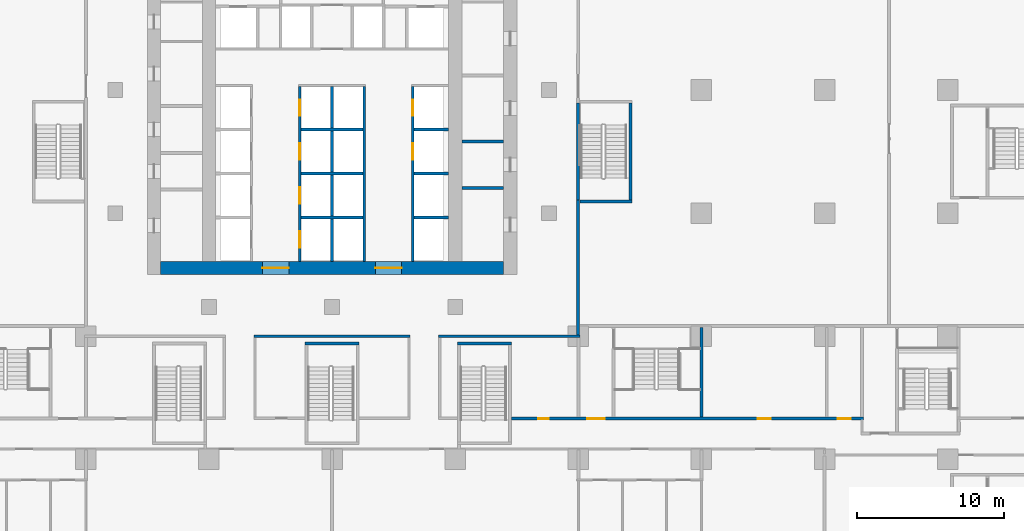
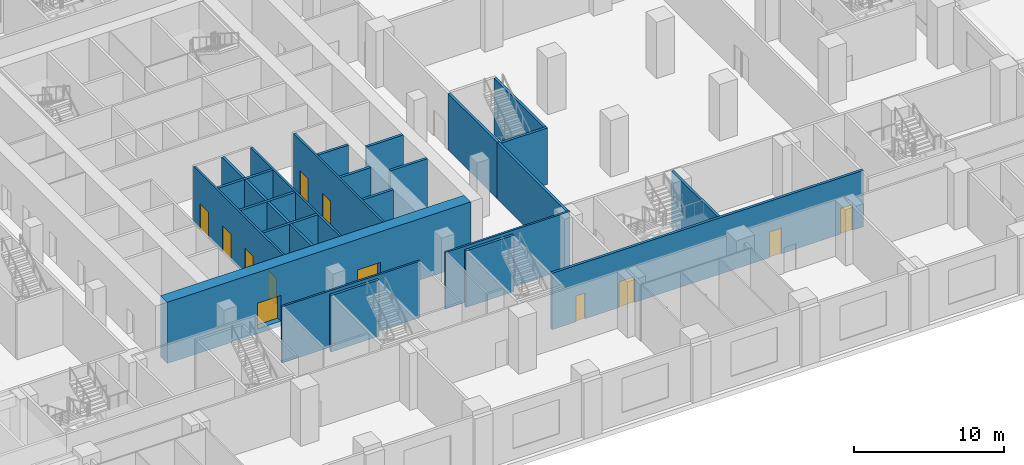
# One storey, part 11 of 29: 23 walls, 12 doors, 12 openings.
"""IFC4 building model written with IfcOpenShell, lengths in metres."""

import ifcopenshell
import ifcopenshell.guid

model = None  # the IFC model being written
_history = None  # IfcOwnerHistory: only IFC2X3 demands one
_inside = {}  # id of a spatial element -> (the spatial element, [elements in it])
_under = {}  # id of a project, library or spatial element -> (it, [spatial elements below it])
_declared = {}  # id of a project -> (the project, [libraries it declares])
_typed = {}  # id of a type object -> (the type object, [elements of that type])
_made_of = {}  # id of a material, layer set ... -> (it, [elements and type objects made of it])


def new_model(schema):
    """Start an empty IFC model of exactly this schema.

    Asked for "IFC4X3", IfcOpenShell would pick the latest addendum, in which some entities
    have other attributes; the version numbers below select the first issue.
    IFC2X3 requires an IfcOwnerHistory on every rooted entity: one is made here for all.
    """
    global model, _history
    if schema == "IFC4X3":
        model = ifcopenshell.file(schema_version=(4, 3, 0, 0))
    else:
        model = ifcopenshell.file(schema=schema)
    _inside.clear()
    _under.clear()
    _declared.clear()
    _typed.clear()
    _made_of.clear()
    _history = None
    if model.schema == "IFC2X3":
        org = make("IfcOrganization", Name="unknown")
        user = make(
            "IfcPersonAndOrganization",
            ThePerson=make("IfcPerson", FamilyName="unknown"),
            TheOrganization=org,
        )
        app = make(
            "IfcApplication",
            ApplicationDeveloper=org,
            Version="unknown",
            ApplicationFullName="unknown",
            ApplicationIdentifier="unknown",
        )
        _history = make(
            "IfcOwnerHistory",
            OwningUser=user,
            OwningApplication=app,
            ChangeAction="ADDED",
            CreationDate=0,
        )
    return model


def make(cls, **values):
    """One entity of the class cls with the attributes given. An attribute that is None is left unset."""
    return model.create_entity(
        cls, **{name: value for name, value in values.items() if value is not None}
    )


def rooted(cls, **values):
    """An entity with a GlobalId (a new one), such as an element, a storey or a relation."""
    return make(cls, GlobalId=ifcopenshell.guid.new(), OwnerHistory=_history, **values)


def si_unit(unit_type, name, prefix=None):
    """IfcSIUnit, for example si_unit("LENGTHUNIT", "METRE", prefix="MILLI")."""
    return make("IfcSIUnit", UnitType=unit_type, Prefix=prefix, Name=name)


def assignment(units):
    """IfcUnitAssignment: the units of a project."""
    return None if units is None else make("IfcUnitAssignment", Units=units)


def point(xyz):
    """IfcCartesianPoint."""
    return None if xyz is None else make("IfcCartesianPoint", Coordinates=xyz)


def direction(xyz):
    """IfcDirection."""
    return None if xyz is None else make("IfcDirection", DirectionRatios=xyz)


def frame(location, z_axis=None, x_axis=None):
    """IfcAxis2Placement3D, a coordinate frame: its origin and axes. An axis left out is left unset."""
    return make(
        "IfcAxis2Placement3D",
        Location=point(location),
        Axis=direction(z_axis),
        RefDirection=direction(x_axis),
    )


def frame_2d(location, x_axis=None):
    """IfcAxis2Placement2D, a coordinate frame in the plane: its origin and x axis."""
    return make(
        "IfcAxis2Placement2D", Location=point(location), RefDirection=direction(x_axis)
    )


def origin():
    """The frame at (0, 0, 0) with its axes left unset."""
    return frame((0.0, 0.0, 0.0))


def place(relative_to, where):
    """IfcLocalPlacement: puts the frame where relative to a parent placement (None: the world)."""
    return make(
        "IfcLocalPlacement", PlacementRelTo=relative_to, RelativePlacement=where
    )


def context(
    kind, dimensions, precision=None, world=None, true_north=None, identifier=None
):
    """IfcGeometricRepresentationContext, for example the 3D "Model" context."""
    return make(
        "IfcGeometricRepresentationContext",
        ContextIdentifier=identifier,
        ContextType=kind,
        CoordinateSpaceDimension=dimensions,
        Precision=precision,
        WorldCoordinateSystem=world,
        TrueNorth=true_north,
    )


def subcontext(parent, identifier, kind, view, scale=None):
    """IfcGeometricRepresentationSubContext, for example "Body" below "Model"."""
    return make(
        "IfcGeometricRepresentationSubContext",
        ContextIdentifier=identifier,
        ContextType=kind,
        ParentContext=parent,
        TargetScale=scale,
        TargetView=view,
    )


def project(units=None, contexts=None):
    """IfcProject with its units and contexts."""
    return rooted(
        "IfcProject",
        Name="project",
        RepresentationContexts=contexts,
        UnitsInContext=assignment(units),
    )


def spatial(cls, under=None, at=None, **own):
    """A site, building, storey or space (cls), placed at a placement, below another one or the project."""
    s = rooted(cls, ObjectPlacement=at, **own)
    if under is not None:
        _under.setdefault(under.id(), (under, []))[1].append(s)
    return s


def profile(cls, at=None, kind="AREA", **sizes):
    """A parametric profile (cls). Its sizes go by their IFC names, for example OverallWidth=200.0."""
    return make(cls, ProfileType=kind, Position=at, **sizes)


def rectangle(**sizes):
    """IfcRectangleProfileDef."""
    return profile("IfcRectangleProfileDef", **sizes)


def extrude(swept, where, along, depth):
    """IfcExtrudedAreaSolid: the profile swept, set in the frame where, extruded along a direction by depth."""
    return make(
        "IfcExtrudedAreaSolid",
        SweptArea=swept,
        Position=where,
        ExtrudedDirection=direction(along),
        Depth=depth,
    )


def shape(context_of_items, identifier, shape_type, items):
    """IfcShapeRepresentation: the items that make up one representation, for example the "Body"."""
    return make(
        "IfcShapeRepresentation",
        ContextOfItems=context_of_items,
        RepresentationIdentifier=identifier,
        RepresentationType=shape_type,
        Items=items,
    )


def material(Name=None, Category=None):
    """IfcMaterial."""
    return make("IfcMaterial", Name=Name, Category=Category)


def layer(
    of_material, thickness, ventilated=None, Name=None, Category=None, Priority=None
):
    """IfcMaterialLayer: one layer of a wall or slab, of a material (None: an air gap)."""
    return make(
        "IfcMaterialLayer",
        Material=of_material,
        LayerThickness=thickness,
        IsVentilated=ventilated,
        Name=Name,
        Category=Category,
        Priority=Priority,
    )


def layer_set(layers, Name=None):
    """IfcMaterialLayerSet."""
    return make("IfcMaterialLayerSet", MaterialLayers=layers, LayerSetName=Name)


def made_of(thing, what):
    """Note that an element or type object is made of a material, layer set ...; save() writes the relation."""
    if what is not None:
        _made_of.setdefault(what.id(), (what, []))[1].append(thing)
    return thing


def type_object(cls, material=None, **own):
    """A type object (cls), such as IfcWallType, which elements share."""
    return made_of(rooted(cls, **own), material)


def element(
    cls,
    number,
    at=None,
    inside=None,
    cuts=None,
    type_object=None,
    material=None,
    context=None,
    identifier="Body",
    shape_type=None,
    held_by="IfcProductDefinitionShape",
    body=None,
    shapes=None,
    **own,
):
    """One element of the class cls, such as IfcWall. Its Tag is "e" and its number.

    at: its placement. inside: the storey or other place that contains it. cuts: it is an
    opening in that element (IfcRelVoidsElement). A single representation is given by context,
    identifier, shape_type and body (its items); several are given by shapes. held_by: the class
    of the entity that holds the representations. save() writes the other relations.
    """
    e = rooted(cls, Tag="e%d" % number, ObjectPlacement=at, **own)
    if body is not None:
        shapes = [shape(context, identifier, shape_type, body)]
    if shapes is not None:
        e.Representation = make(held_by, Representations=shapes)
    if inside is not None:
        _inside.setdefault(inside.id(), (inside, []))[1].append(e)
    if cuts is not None:
        rooted(
            "IfcRelVoidsElement", RelatingBuildingElement=cuts, RelatedOpeningElement=e
        )
    if type_object is not None:
        _typed.setdefault(type_object.id(), (type_object, []))[1].append(e)
    return made_of(e, material)


def fill(opening, filler):
    """IfcRelFillsElement: the door or window that sits in an opening."""
    return rooted(
        "IfcRelFillsElement",
        RelatingOpeningElement=opening,
        RelatedBuildingElement=filler,
    )


def aggregate(whole, parts):
    """IfcRelAggregates: a whole, such as a stair, and the parts it consists of."""
    return rooted("IfcRelAggregates", RelatingObject=whole, RelatedObjects=parts)


def save(model, path):
    """Write the relations noted so far, then the file.

    IfcRelAggregates (storeys below a building ...), IfcRelContainedInSpatialStructure (elements
    in a storey), IfcRelDefinesByType, IfcRelAssociatesMaterial and IfcRelDeclares: one each for
    every whole, place, type object, material and project.
    """
    for whole, parts in _under.values():
        aggregate(whole, parts)
    for where, things in _inside.values():
        rooted(
            "IfcRelContainedInSpatialStructure",
            RelatedElements=things,
            RelatingStructure=where,
        )
    for kind, things in _typed.values():
        rooted("IfcRelDefinesByType", RelatedObjects=things, RelatingType=kind)
    for what, things in _made_of.values():
        rooted("IfcRelAssociatesMaterial", RelatedObjects=things, RelatingMaterial=what)
    for by, libraries in _declared.values():
        rooted("IfcRelDeclares", RelatingContext=by, RelatedDefinitions=libraries)
    model.write(path)


model = new_model("IFC4")

# Units and contexts
model_context = context("Model", 3, precision=1e-05, world=origin(), true_north=direction((0.0, 1.0)))
body_context = subcontext(model_context, "Body", "Model", "MODEL_VIEW")
ifc_project = project(units=[si_unit("LENGTHUNIT", "METRE"), si_unit("AREAUNIT", "SQUARE_METRE"), si_unit("VOLUMEUNIT", "CUBIC_METRE"), si_unit("PLANEANGLEUNIT", "RADIAN"), si_unit("MASSUNIT", "GRAM", prefix="KILO")], contexts=[model_context])

# Site, building, storey
site_placement = place(None, origin())
site = spatial("IfcSite", under=ifc_project, at=site_placement, CompositionType="ELEMENT")
building_placement = place(site_placement, origin())
building = spatial("IfcBuilding", under=site, at=building_placement, Name="Vermilion Ogive Tower", CompositionType="ELEMENT")
storey_placement = place(building_placement, frame((0.0, 0.0, 7.5)))
storey = spatial("IfcBuildingStorey", under=building, at=storey_placement, Name="L01", CompositionType="ELEMENT", Elevation=7.5)

# Wall, openings, doors
ifc_material_1 = material(Name="Concrete B80", Category="concrete")
ifc_layer_1 = layer(ifc_material_1, 0.89990234375)
ifc_layer_set_1 = layer_set([ifc_layer_1], Name="Core wall 900 B80")
wall_type_1 = type_object("IfcWallType", Name="Core wall 900 B80", PredefinedType="SHEAR", material=ifc_layer_set_1)
wall_1_placement = place(storey_placement, frame((-11.699951171875, -7.949951171875, -0.39990234375), z_axis=(0.0, 0.0, 1.0), x_axis=(1.0, 0.0, 0.0)))
wall_1 = element("IfcWall", 1, at=wall_1_placement, inside=storey, type_object=wall_type_1, Name="L01-CORE-S", PredefinedType="SHEAR", context=body_context, shape_type="SweptSolid", body=[
    extrude(rectangle(XDim=23.39990234375, YDim=0.89990234375, at=frame_2d((11.699951171875, 0.0))), origin(), (0.0, 0.0, 1.0), 5.0),
])
opening_1_placement = place(wall_1_placement, frame((6.949951171875, 0.0, 0.39990234375)))
opening_1 = element("IfcOpeningElement", 2, at=opening_1_placement, cuts=wall_1, Name="Opening DAR003", PredefinedType="OPENING", context=body_context, shape_type="SweptSolid", body=[
    extrude(rectangle(XDim=1.800048828125, YDim=2.10009765625, at=frame_2d((0.89990234375, 1.050048828125))), frame((0.0, 0.4599609375, 0.0), z_axis=(0.0, -1.0, 0.0), x_axis=(1.0, 0.0, 0.0)), (0.0, 0.0, 1.0), 0.919921875),
])
opening_2_placement = place(wall_1_placement, frame((14.64990234375, 0.0, 0.39990234375)))
opening_2 = element("IfcOpeningElement", 3, at=opening_2_placement, cuts=wall_1, Name="Opening DAR004", PredefinedType="OPENING", context=body_context, shape_type="SweptSolid", body=[
    extrude(rectangle(XDim=1.800048828125, YDim=2.10009765625, at=frame_2d((0.89990234375, 1.050048828125))), frame((0.0, 0.4599609375, 0.0), z_axis=(0.0, -1.0, 0.0), x_axis=(1.0, 0.0, 0.0)), (0.0, 0.0, 1.0), 0.919921875),
])
ifc_material_2 = material(Name="Timber door leaf", Category="wood")
door_type_1 = type_object("IfcDoorType", Name="Core entry door 1800 x 2100 FD60S", OperationType="DOUBLE_DOOR_SINGLE_SWING", PredefinedType="DOOR", material=ifc_material_2)
door_1_placement = place(opening_1_placement, origin())
door_1 = element("IfcDoor", 4, at=door_1_placement, inside=storey, type_object=door_type_1, Name="L01-CK-XD1", OperationType="SINGLE_SWING_LEFT", OverallHeight=2.10009765625, OverallWidth=1.800048828125, PredefinedType="DOOR", context=body_context, shape_type="SweptSolid", body=[
    extrude(rectangle(XDim=1.800048828125, YDim=2.10009765625, at=frame_2d((0.89990234375, 1.050048828125))), frame((0.0, 0.02490234375, 0.0), z_axis=(0.0, -1.0, 0.0), x_axis=(1.0, 0.0, 0.0)), (0.0, 0.0, 1.0), 0.050048828125),
])
fill(opening_1, door_1)
door_2_placement = place(opening_2_placement, origin())
door_2 = element("IfcDoor", 5, at=door_2_placement, inside=storey, type_object=door_type_1, Name="L01-CK-XD2", OperationType="SINGLE_SWING_LEFT", OverallHeight=2.10009765625, OverallWidth=1.800048828125, PredefinedType="DOOR", context=body_context, shape_type="SweptSolid", body=[
    extrude(rectangle(XDim=1.800048828125, YDim=2.10009765625, at=frame_2d((0.89990234375, 1.050048828125))), frame((0.0, 0.02490234375, 0.0), z_axis=(0.0, -1.0, 0.0), x_axis=(1.0, 0.0, 0.0)), (0.0, 0.0, 1.0), 0.050048828125),
])
fill(opening_2, door_2)

# Walls
ifc_material_3 = material(Name="Gypsum board partition on steel studs", Category="steel")
ifc_layer_2 = layer(ifc_material_3, 0.14990234375)
ifc_layer_set_2 = layer_set([ifc_layer_2], Name="Partition 150 corridor")
wall_type_2 = type_object("IfcWallType", Name="Partition 150 corridor", PredefinedType="PARTITIONING", material=ifc_layer_set_2)
wall_2_placement = place(storey_placement, frame((-5.324951171875, -12.60009765625, 0.0), z_axis=(0.0, 0.0, 1.0), x_axis=(1.0, 0.0, 0.0)))
element("IfcWall", 6, at=wall_2_placement, inside=storey, type_object=wall_type_2, Name="L01-FS-W-W019", PredefinedType="PARTITIONING", context=body_context, shape_type="SweptSolid", body=[
    extrude(rectangle(XDim=10.64990234375, YDim=0.14990234375, at=frame_2d((5.324951171875, 0.0))), origin(), (0.0, 0.0, 1.0), 4.60009765625),
])
wall_3_placement = place(storey_placement, frame((7.27490234375, -12.60009765625, 0.0), z_axis=(0.0, 0.0, 1.0), x_axis=(1.0, 0.0, 0.0)))
element("IfcWall", 7, at=wall_3_placement, inside=storey, type_object=wall_type_2, Name="L01-FS-W-W020", PredefinedType="PARTITIONING", context=body_context, shape_type="SweptSolid", body=[
    extrude(rectangle(XDim=9.625, YDim=0.14990234375, at=frame_2d((4.8125, 0.0))), origin(), (0.0, 0.0, 1.0), 4.60009765625),
])

# Wall, openings, doors
wall_4_placement = place(storey_placement, frame((-2.199951171875, -7.4990234375, 0.0), z_axis=(0.0, 0.0, 1.0), x_axis=(0.0, 1.0, 0.0)))
wall_4 = element("IfcWall", 8, at=wall_4_placement, inside=storey, type_object=wall_type_2, Name="L01-CK-W-W027", PredefinedType="PARTITIONING", context=body_context, shape_type="SweptSolid", body=[
    extrude(rectangle(XDim=11.924072265625, YDim=0.14990234375, at=frame_2d((5.9619140625, 0.0))), origin(), (0.0, 0.0, 1.0), 4.60009765625),
])
opening_3_placement = place(wall_4_placement, frame((0.948974609375, 0.0, 0.0)))
opening_3 = element("IfcOpeningElement", 9, at=opening_3_placement, cuts=wall_4, Name="Opening DAB049", PredefinedType="OPENING", context=body_context, shape_type="SweptSolid", body=[
    extrude(rectangle(XDim=1.10009765625, YDim=2.10009765625, at=frame_2d((0.550048828125, 1.050048828125))), frame((0.0, 0.0849609375, 0.0), z_axis=(0.0, -1.0, 0.0), x_axis=(1.0, 0.0, 0.0)), (0.0, 0.0, 1.0), 0.169921875),
])
opening_4_placement = place(wall_4_placement, frame((3.948974609375, 0.0, 0.0)))
opening_4 = element("IfcOpeningElement", 10, at=opening_4_placement, cuts=wall_4, Name="Opening DAB050", PredefinedType="OPENING", context=body_context, shape_type="SweptSolid", body=[
    extrude(rectangle(XDim=1.10009765625, YDim=2.10009765625, at=frame_2d((0.550048828125, 1.050048828125))), frame((0.0, 0.0849609375, 0.0), z_axis=(0.0, -1.0, 0.0), x_axis=(1.0, 0.0, 0.0)), (0.0, 0.0, 1.0), 0.169921875),
])
opening_5_placement = place(wall_4_placement, frame((6.948974609375, 0.0, 0.0)))
opening_5 = element("IfcOpeningElement", 11, at=opening_5_placement, cuts=wall_4, Name="Opening DAB051", PredefinedType="OPENING", context=body_context, shape_type="SweptSolid", body=[
    extrude(rectangle(XDim=1.10009765625, YDim=2.10009765625, at=frame_2d((0.550048828125, 1.050048828125))), frame((0.0, 0.0849609375, 0.0), z_axis=(0.0, -1.0, 0.0), x_axis=(1.0, 0.0, 0.0)), (0.0, 0.0, 1.0), 0.169921875),
])
opening_6_placement = place(wall_4_placement, frame((9.948974609375, 0.0, 0.0)))
opening_6 = element("IfcOpeningElement", 12, at=opening_6_placement, cuts=wall_4, Name="Opening DAB052", PredefinedType="OPENING", context=body_context, shape_type="SweptSolid", body=[
    extrude(rectangle(XDim=1.10009765625, YDim=2.10009765625, at=frame_2d((0.550048828125, 1.050048828125))), frame((0.0, 0.0849609375, 0.0), z_axis=(0.0, -1.0, 0.0), x_axis=(1.0, 0.0, 0.0)), (0.0, 0.0, 1.0), 0.169921875),
])
ifc_material_4 = material(Name="Stainless steel", Category="steel")
door_type_2 = type_object("IfcDoorType", Name="Lift landing door 1100 x 2100", OperationType="SLIDING_TO_LEFT", PredefinedType="DOOR", material=ifc_material_4)
door_3_placement = place(opening_3_placement, origin())
door_3 = element("IfcDoor", 13, at=door_3_placement, inside=storey, type_object=door_type_2, Name="L01-CK-D-D005", OperationType="SLIDING_TO_RIGHT", OverallHeight=2.10009765625, OverallWidth=1.10009765625, PredefinedType="DOOR", context=body_context, shape_type="SweptSolid", body=[
    extrude(rectangle(XDim=1.10009765625, YDim=2.10009765625, at=frame_2d((0.550048828125, 1.050048828125))), frame((0.0, 0.02490234375, 0.0), z_axis=(0.0, -1.0, 0.0), x_axis=(1.0, 0.0, 0.0)), (0.0, 0.0, 1.0), 0.050048828125),
])
fill(opening_3, door_3)
door_4_placement = place(opening_4_placement, origin())
door_4 = element("IfcDoor", 14, at=door_4_placement, inside=storey, type_object=door_type_2, Name="L01-CK-D-D006", OperationType="SLIDING_TO_RIGHT", OverallHeight=2.10009765625, OverallWidth=1.10009765625, PredefinedType="DOOR", context=body_context, shape_type="SweptSolid", body=[
    extrude(rectangle(XDim=1.10009765625, YDim=2.10009765625, at=frame_2d((0.550048828125, 1.050048828125))), frame((0.0, 0.02490234375, 0.0), z_axis=(0.0, -1.0, 0.0), x_axis=(1.0, 0.0, 0.0)), (0.0, 0.0, 1.0), 0.050048828125),
])
fill(opening_4, door_4)
door_5_placement = place(opening_5_placement, origin())
door_5 = element("IfcDoor", 15, at=door_5_placement, inside=storey, type_object=door_type_2, Name="L01-CK-D-D007", OperationType="SLIDING_TO_RIGHT", OverallHeight=2.10009765625, OverallWidth=1.10009765625, PredefinedType="DOOR", context=body_context, shape_type="SweptSolid", body=[
    extrude(rectangle(XDim=1.10009765625, YDim=2.10009765625, at=frame_2d((0.550048828125, 1.050048828125))), frame((0.0, 0.02490234375, 0.0), z_axis=(0.0, -1.0, 0.0), x_axis=(1.0, 0.0, 0.0)), (0.0, 0.0, 1.0), 0.050048828125),
])
fill(opening_5, door_5)
door_6_placement = place(opening_6_placement, origin())
door_6 = element("IfcDoor", 16, at=door_6_placement, inside=storey, type_object=door_type_2, Name="L01-CK-D-D008", OperationType="SLIDING_TO_RIGHT", OverallHeight=2.10009765625, OverallWidth=1.10009765625, PredefinedType="DOOR", context=body_context, shape_type="SweptSolid", body=[
    extrude(rectangle(XDim=1.10009765625, YDim=2.10009765625, at=frame_2d((0.550048828125, 1.050048828125))), frame((0.0, 0.02490234375, 0.0), z_axis=(0.0, -1.0, 0.0), x_axis=(1.0, 0.0, 0.0)), (0.0, 0.0, 1.0), 0.050048828125),
])
fill(opening_6, door_6)

# Wall
wall_5_placement = place(storey_placement, frame((2.199951171875, -7.4990234375, 0.0), z_axis=(0.0, 0.0, 1.0), x_axis=(0.0, 1.0, 0.0)))
element("IfcWall", 17, at=wall_5_placement, inside=storey, type_object=wall_type_2, Name="L01-CK-W-W034", PredefinedType="PARTITIONING", context=body_context, shape_type="SweptSolid", body=[
    extrude(rectangle(XDim=11.924072265625, YDim=0.14990234375, at=frame_2d((5.9619140625, 0.0))), origin(), (0.0, 0.0, 1.0), 4.60009765625),
])

# Wall, openings, doors
wall_6_placement = place(storey_placement, frame((5.5, -7.4990234375, 0.0), z_axis=(0.0, 0.0, 1.0), x_axis=(0.0, 1.0, 0.0)))
wall_6 = element("IfcWall", 18, at=wall_6_placement, inside=storey, type_object=wall_type_2, Name="L01-CK-W-W040", PredefinedType="PARTITIONING", context=body_context, shape_type="SweptSolid", body=[
    extrude(rectangle(XDim=11.924072265625, YDim=0.14990234375, at=frame_2d((5.9619140625, 0.0))), origin(), (0.0, 0.0, 1.0), 4.60009765625),
])
opening_7_placement = place(wall_6_placement, frame((6.948974609375, 0.0, 0.0)))
opening_7 = element("IfcOpeningElement", 19, at=opening_7_placement, cuts=wall_6, Name="Opening DAB053", PredefinedType="OPENING", context=body_context, shape_type="SweptSolid", body=[
    extrude(rectangle(XDim=1.10009765625, YDim=2.10009765625, at=frame_2d((0.550048828125, 1.050048828125))), frame((0.0, 0.0849609375, 0.0), z_axis=(0.0, -1.0, 0.0), x_axis=(1.0, 0.0, 0.0)), (0.0, 0.0, 1.0), 0.169921875),
])
opening_8_placement = place(wall_6_placement, frame((9.948974609375, 0.0, 0.0)))
opening_8 = element("IfcOpeningElement", 20, at=opening_8_placement, cuts=wall_6, Name="Opening DAB042", PredefinedType="OPENING", context=body_context, shape_type="SweptSolid", body=[
    extrude(rectangle(XDim=1.10009765625, YDim=2.10009765625, at=frame_2d((0.550048828125, 1.050048828125))), frame((0.0, 0.0849609375, 0.0), z_axis=(0.0, -1.0, 0.0), x_axis=(1.0, 0.0, 0.0)), (0.0, 0.0, 1.0), 0.169921875),
])
door_7_placement = place(opening_7_placement, origin())
door_7 = element("IfcDoor", 21, at=door_7_placement, inside=storey, type_object=door_type_2, Name="L01-CK-D-D009", OperationType="SLIDING_TO_RIGHT", OverallHeight=2.10009765625, OverallWidth=1.10009765625, PredefinedType="DOOR", context=body_context, shape_type="SweptSolid", body=[
    extrude(rectangle(XDim=1.10009765625, YDim=2.10009765625, at=frame_2d((0.550048828125, 1.050048828125))), frame((0.0, 0.02490234375, 0.0), z_axis=(0.0, -1.0, 0.0), x_axis=(1.0, 0.0, 0.0)), (0.0, 0.0, 1.0), 0.050048828125),
])
fill(opening_7, door_7)
door_8_placement = place(opening_8_placement, origin())
door_8 = element("IfcDoor", 22, at=door_8_placement, inside=storey, type_object=door_type_2, Name="L01-CK-D-D010", OperationType="SLIDING_TO_RIGHT", OverallHeight=2.10009765625, OverallWidth=1.10009765625, PredefinedType="DOOR", context=body_context, shape_type="SweptSolid", body=[
    extrude(rectangle(XDim=1.10009765625, YDim=2.10009765625, at=frame_2d((0.550048828125, 1.050048828125))), frame((0.0, 0.02490234375, 0.0), z_axis=(0.0, -1.0, 0.0), x_axis=(1.0, 0.0, 0.0)), (0.0, 0.0, 1.0), 0.050048828125),
])
fill(opening_8, door_8)

# Walls
ifc_material_5 = material(Name="Gypsum board partition on steel studs", Category="steel")
ifc_layer_3 = layer(ifc_material_5, 0.199951171875)
ifc_layer_set_3 = layer_set([ifc_layer_3], Name="Partition 200 party")
wall_type_3 = type_object("IfcWallType", Name="Partition 200 party", PredefinedType="PARTITIONING", material=ifc_layer_set_3)
wall_7_placement = place(storey_placement, frame((-2.125, -4.5, 0.0), z_axis=(0.0, 0.0, 1.0), x_axis=(1.0, 0.0, 0.0)))
element("IfcWall", 23, at=wall_7_placement, inside=storey, type_object=wall_type_3, Name="L01-CK-W-W002", PredefinedType="PARTITIONING", context=body_context, shape_type="SweptSolid", body=[
    extrude(rectangle(XDim=4.25, YDim=0.199951171875, at=frame_2d((2.125, 0.0))), origin(), (0.0, 0.0, 1.0), 4.60009765625),
])
wall_8_placement = place(storey_placement, frame((5.574951171875, -4.5, 0.0), z_axis=(0.0, 0.0, 1.0), x_axis=(1.0, 0.0, 0.0)))
element("IfcWall", 24, at=wall_8_placement, inside=storey, type_object=wall_type_3, Name="L01-CK-W-W003", PredefinedType="PARTITIONING", context=body_context, shape_type="SweptSolid", body=[
    extrude(rectangle(XDim=2.3740234375, YDim=0.199951171875, at=frame_2d((1.18701171875, 0.0))), origin(), (0.0, 0.0, 1.0), 4.60009765625),
])
wall_9_placement = place(storey_placement, frame((-2.125, -1.5, 0.0), z_axis=(0.0, 0.0, 1.0), x_axis=(1.0, 0.0, 0.0)))
element("IfcWall", 25, at=wall_9_placement, inside=storey, type_object=wall_type_3, Name="L01-CK-W-W005", PredefinedType="PARTITIONING", context=body_context, shape_type="SweptSolid", body=[
    extrude(rectangle(XDim=4.25, YDim=0.199951171875, at=frame_2d((2.125, 0.0))), origin(), (0.0, 0.0, 1.0), 4.60009765625),
])
wall_10_placement = place(storey_placement, frame((5.574951171875, -1.5, 0.0), z_axis=(0.0, 0.0, 1.0), x_axis=(1.0, 0.0, 0.0)))
element("IfcWall", 26, at=wall_10_placement, inside=storey, type_object=wall_type_3, Name="L01-CK-W-W006", PredefinedType="PARTITIONING", context=body_context, shape_type="SweptSolid", body=[
    extrude(rectangle(XDim=2.3740234375, YDim=0.199951171875, at=frame_2d((1.18701171875, 0.0))), origin(), (0.0, 0.0, 1.0), 4.60009765625),
])
wall_11_placement = place(storey_placement, frame((-2.125, 1.5, 0.0), z_axis=(0.0, 0.0, 1.0), x_axis=(1.0, 0.0, 0.0)))
element("IfcWall", 27, at=wall_11_placement, inside=storey, type_object=wall_type_3, Name="L01-CK-W-W008", PredefinedType="PARTITIONING", context=body_context, shape_type="SweptSolid", body=[
    extrude(rectangle(XDim=4.25, YDim=0.199951171875, at=frame_2d((2.125, 0.0))), origin(), (0.0, 0.0, 1.0), 4.60009765625),
])
wall_12_placement = place(storey_placement, frame((5.574951171875, 1.5, 0.0), z_axis=(0.0, 0.0, 1.0), x_axis=(1.0, 0.0, 0.0)))
element("IfcWall", 28, at=wall_12_placement, inside=storey, type_object=wall_type_3, Name="L01-CK-W-W009", PredefinedType="PARTITIONING", context=body_context, shape_type="SweptSolid", body=[
    extrude(rectangle(XDim=2.3740234375, YDim=0.199951171875, at=frame_2d((1.18701171875, 0.0))), origin(), (0.0, 0.0, 1.0), 4.60009765625),
])
wall_13_placement = place(storey_placement, frame((0.0, -7.4990234375, 0.0), z_axis=(0.0, 0.0, 1.0), x_axis=(0.0, 1.0, 0.0)))
element("IfcWall", 29, at=wall_13_placement, inside=storey, type_object=wall_type_3, Name="L01-CK-W-W030", PredefinedType="PARTITIONING", context=body_context, shape_type="SweptSolid", body=[
    extrude(rectangle(XDim=11.924072265625, YDim=0.199951171875, at=frame_2d((5.9619140625, 0.0))), origin(), (0.0, 0.0, 1.0), 4.60009765625),
])
for number, where, z_axis, x_axis, name in (
    (30, (8.85107421875, -2.5, 0.0), (0.0, 0.0, 1.0), (1.0, 0.0, 0.0), "L01-CKE-W-W001"),
    (31, (8.85107421875, 0.699951171875, 0.0), (0.0, 0.0, 1.0), (1.0, 0.0, 0.0), "L01-CKE-W-W002"),
):
    element("IfcWall", number, at=place(storey_placement, frame(where, z_axis=z_axis, x_axis=x_axis)), inside=storey, type_object=wall_type_3, Name=name, PredefinedType="PARTITIONING", context=body_context, shape_type="SweptSolid", body=[
        extrude(rectangle(XDim=2.847900390625, YDim=0.199951171875, at=frame_2d((1.423828125, 0.0))), origin(), (0.0, 0.0, 1.0), 4.60009765625),
    ])

# Wall, openings, doors
ifc_material_6 = material(Name="Concrete B60", Category="concrete")
ifc_layer_4 = layer(ifc_material_6, 0.199951171875)
ifc_layer_set_4 = layer_set([ifc_layer_4], Name="Stair shaft wall 200 Concrete B60")
wall_type_4 = type_object("IfcWallType", Name="Stair shaft wall 200 Concrete B60", PredefinedType="SOLIDWALL", material=ifc_layer_set_4)
wall_14_placement = place(storey_placement, frame((12.25, -18.224853515625, 0.0), z_axis=(0.0, 0.0, 1.0), x_axis=(1.0, 0.0, 0.0)))
wall_14 = element("IfcWall", 32, at=wall_14_placement, inside=storey, type_object=wall_type_4, Name="L01-FS-W-W016", PredefinedType="SOLIDWALL", context=body_context, shape_type="SweptSolid", body=[
    extrude(rectangle(XDim=24.0, YDim=0.199951171875, at=frame_2d((12.0, 0.0))), origin(), (0.0, 0.0, 1.0), 4.60009765625),
])
opening_9_placement = place(wall_14_placement, frame((5.14990234375, 0.0, 0.0)))
opening_9 = element("IfcOpeningElement", 33, at=opening_9_placement, cuts=wall_14, Name="Opening L01S014", PredefinedType="OPENING", context=body_context, shape_type="SweptSolid", body=[
    extrude(rectangle(XDim=1.199951171875, YDim=2.10009765625, at=frame_2d((0.60009765625, 1.050048828125))), frame((0.0, 0.10986328125, 0.0), z_axis=(0.0, -1.0, 0.0), x_axis=(1.0, 0.0, 0.0)), (0.0, 0.0, 1.0), 0.219970703125),
])
opening_10_placement = place(wall_14_placement, frame((16.77490234375, 0.0, 0.0)))
opening_10 = element("IfcOpeningElement", 34, at=opening_10_placement, cuts=wall_14, Name="Opening L01S045", PredefinedType="OPENING", context=body_context, shape_type="SweptSolid", body=[
    extrude(rectangle(XDim=0.89990234375, YDim=2.10009765625, at=frame_2d((0.449951171875, 1.050048828125))), frame((0.0, 0.10986328125, 0.0), z_axis=(0.0, -1.0, 0.0), x_axis=(1.0, 0.0, 0.0)), (0.0, 0.0, 1.0), 0.219970703125),
])
opening_11_placement = place(wall_14_placement, frame((22.25, 0.0, 0.0)))
opening_11 = element("IfcOpeningElement", 35, at=opening_11_placement, cuts=wall_14, Name="Opening L01S046", PredefinedType="OPENING", context=body_context, shape_type="SweptSolid", body=[
    extrude(rectangle(XDim=0.89990234375, YDim=2.10009765625, at=frame_2d((0.449951171875, 1.050048828125))), frame((0.0, 0.10986328125, 0.0), z_axis=(0.0, -1.0, 0.0), x_axis=(1.0, 0.0, 0.0)), (0.0, 0.0, 1.0), 0.219970703125),
])
opening_12_placement = place(wall_14_placement, frame((1.824951171875, 0.0, 0.0)))
opening_12 = element("IfcOpeningElement", 36, at=opening_12_placement, cuts=wall_14, Name="Opening L01S063", PredefinedType="OPENING", context=body_context, shape_type="SweptSolid", body=[
    extrude(rectangle(XDim=0.699951171875, YDim=2.10009765625, at=frame_2d((0.35009765625, 1.050048828125))), frame((0.0, 0.10986328125, 0.0), z_axis=(0.0, -1.0, 0.0), x_axis=(1.0, 0.0, 0.0)), (0.0, 0.0, 1.0), 0.219970703125),
])
ifc_material_7 = material(Name="Timber door leaf", Category="wood")
door_type_3 = type_object("IfcDoorType", Name="Room door 700 x 2100 FD30", OperationType="SINGLE_SWING_LEFT", PredefinedType="DOOR", material=ifc_material_7)
door_9_placement = place(opening_12_placement, origin())
door_9 = element("IfcDoor", 37, at=door_9_placement, inside=storey, type_object=door_type_3, Name="L01-FS-D-D063", OperationType="SINGLE_SWING_LEFT", OverallHeight=2.10009765625, OverallWidth=0.699951171875, PredefinedType="DOOR", context=body_context, shape_type="SweptSolid", body=[
    extrude(rectangle(XDim=0.699951171875, YDim=2.10009765625, at=frame_2d((0.35009765625, 1.050048828125))), frame((0.0, 0.02490234375, 0.0), z_axis=(0.0, -1.0, 0.0), x_axis=(1.0, 0.0, 0.0)), (0.0, 0.0, 1.0), 0.050048828125),
])
fill(opening_12, door_9)
ifc_material_8 = material(Name="Timber door leaf", Category="wood")
door_type_4 = type_object("IfcDoorType", Name="Room door 900 x 2100 FD30", OperationType="SINGLE_SWING_LEFT", PredefinedType="DOOR", material=ifc_material_8)
door_10_placement = place(opening_10_placement, origin())
door_10 = element("IfcDoor", 38, at=door_10_placement, inside=storey, type_object=door_type_4, Name="L01-FS-D-D045", OperationType="SINGLE_SWING_RIGHT", OverallHeight=2.10009765625, OverallWidth=0.89990234375, PredefinedType="DOOR", context=body_context, shape_type="SweptSolid", body=[
    extrude(rectangle(XDim=0.89990234375, YDim=2.10009765625, at=frame_2d((0.449951171875, 1.050048828125))), frame((0.0, 0.02490234375, 0.0), z_axis=(0.0, -1.0, 0.0), x_axis=(1.0, 0.0, 0.0)), (0.0, 0.0, 1.0), 0.050048828125),
])
fill(opening_10, door_10)
door_11_placement = place(opening_11_placement, origin())
door_11 = element("IfcDoor", 39, at=door_11_placement, inside=storey, type_object=door_type_4, Name="L01-FS-D-D046", OperationType="SINGLE_SWING_LEFT", OverallHeight=2.10009765625, OverallWidth=0.89990234375, PredefinedType="DOOR", context=body_context, shape_type="SweptSolid", body=[
    extrude(rectangle(XDim=0.89990234375, YDim=2.10009765625, at=frame_2d((0.449951171875, 1.050048828125))), frame((0.0, 0.02490234375, 0.0), z_axis=(0.0, -1.0, 0.0), x_axis=(1.0, 0.0, 0.0)), (0.0, 0.0, 1.0), 0.050048828125),
])
fill(opening_11, door_11)
ifc_material_9 = material(Name="Timber door leaf", Category="wood")
door_type_5 = type_object("IfcDoorType", Name="Stair door 1200 x 2100 FD60S", OperationType="SINGLE_SWING_LEFT", PredefinedType="DOOR", material=ifc_material_9)
door_12_placement = place(opening_9_placement, origin())
door_12 = element("IfcDoor", 40, at=door_12_placement, inside=storey, type_object=door_type_5, Name="L01-FS-D-D014", OperationType="SINGLE_SWING_LEFT", OverallHeight=2.10009765625, OverallWidth=1.199951171875, PredefinedType="DOOR", context=body_context, shape_type="SweptSolid", body=[
    extrude(rectangle(XDim=1.199951171875, YDim=2.10009765625, at=frame_2d((0.60009765625, 1.050048828125))), frame((0.0, 0.02490234375, 0.0), z_axis=(0.0, -1.0, 0.0), x_axis=(1.0, 0.0, 0.0)), (0.0, 0.0, 1.0), 0.050048828125),
])
fill(opening_9, door_12)

# Walls
wall_15_placement = place(storey_placement, frame((16.783203125, -3.300048828125, 0.0), z_axis=(0.0, 0.0, 1.0), x_axis=(0.000924761016, 0.999999572408, 0.0)))
element("IfcWall", 41, at=wall_15_placement, inside=storey, type_object=wall_type_4, Name="L01-FS-W-W077", PredefinedType="SOLIDWALL", context=body_context, shape_type="SweptSolid", body=[
    extrude(rectangle(XDim=6.60009765625, YDim=0.199951171875, at=frame_2d((3.300048828125, 0.0))), origin(), (0.0, 0.0, 1.0), 4.60009765625),
])
wall_16_placement = place(storey_placement, frame((25.199951171875, -18.125, 0.0), z_axis=(0.0, 0.0, 1.0), x_axis=(0.0, 1.0, 0.0)))
element("IfcWall", 42, at=wall_16_placement, inside=storey, type_object=wall_type_4, Name="L01-FS-W-W085", PredefinedType="SOLIDWALL", context=body_context, shape_type="SweptSolid", body=[
    extrude(rectangle(XDim=6.125, YDim=0.199951171875, at=frame_2d((3.0625, 0.0))), origin(), (0.0, 0.0, 1.0), 4.60009765625),
])
wall_17_placement = place(storey_placement, frame((-1.85009765625, -13.10009765625, 0.0), z_axis=(0.0, 0.0, 1.0), x_axis=(1.0, 0.0, 0.0)))
element("IfcWall", 43, at=wall_17_placement, inside=storey, type_object=wall_type_4, Name="L01-SW-ST4-N1", PredefinedType="SOLIDWALL", context=body_context, shape_type="SweptSolid", body=[
    extrude(rectangle(XDim=3.7001953125, YDim=0.199951171875, at=frame_2d((1.85009765625, 0.0))), origin(), (0.0, 0.0, 1.0), 4.60009765625),
])
wall_18_placement = place(storey_placement, frame((8.550048828125, -13.10009765625, 0.0), z_axis=(0.0, 0.0, 1.0), x_axis=(1.0, 0.0, 0.0)))
element("IfcWall", 44, at=wall_18_placement, inside=storey, type_object=wall_type_4, Name="L01-SW-ST5-N1", PredefinedType="SOLIDWALL", context=body_context, shape_type="SweptSolid", body=[
    extrude(rectangle(XDim=3.699951171875, YDim=0.199951171875, at=frame_2d((1.85009765625, 0.0))), origin(), (0.0, 0.0, 1.0), 4.60009765625),
])
wall_19_placement = place(storey_placement, frame((16.925048828125, -3.39990234375, 0.0), z_axis=(0.0, 0.0, 1.0), x_axis=(1.0, 0.0, 0.0)))
element("IfcWall", 45, at=wall_19_placement, inside=storey, type_object=wall_type_4, Name="L01-SW-ST8-S1", PredefinedType="SOLIDWALL", context=body_context, shape_type="SweptSolid", body=[
    extrude(rectangle(XDim=3.52490234375, YDim=0.199951171875, at=frame_2d((1.762451171875, 0.0))), origin(), (0.0, 0.0, 1.0), 4.60009765625),
])
wall_20_placement = place(storey_placement, frame((16.775146484375, -12.52490234375, 0.0), z_axis=(0.0, 0.0, 1.0), x_axis=(0.000873362112, 0.999999618619, 0.0)))
element("IfcWall", 46, at=wall_20_placement, inside=storey, type_object=wall_type_4, Name="L01-FS-W-W077-A", PredefinedType="SOLIDWALL", context=body_context, shape_type="SweptSolid", body=[
    extrude(rectangle(XDim=9.224853515625, YDim=0.199951171875, at=frame_2d((4.6123046875, 0.0))), origin(), (0.0, 0.0, 1.0), 4.60009765625),
])
wall_21_placement = place(storey_placement, frame((20.35009765625, -3.300048828125, 0.0), z_axis=(0.0, 0.0, 1.0), x_axis=(0.0, 1.0, 0.0)))
element("IfcWall", 47, at=wall_21_placement, inside=storey, type_object=wall_type_4, Name="L01-SW-ST8-E1-A", PredefinedType="SOLIDWALL", context=body_context, shape_type="SweptSolid", body=[
    extrude(rectangle(XDim=6.60009765625, YDim=0.199951171875, at=frame_2d((3.300048828125, 0.0))), origin(), (0.0, 0.0, 1.0), 4.60009765625),
])

save(model, "model.ifc")
